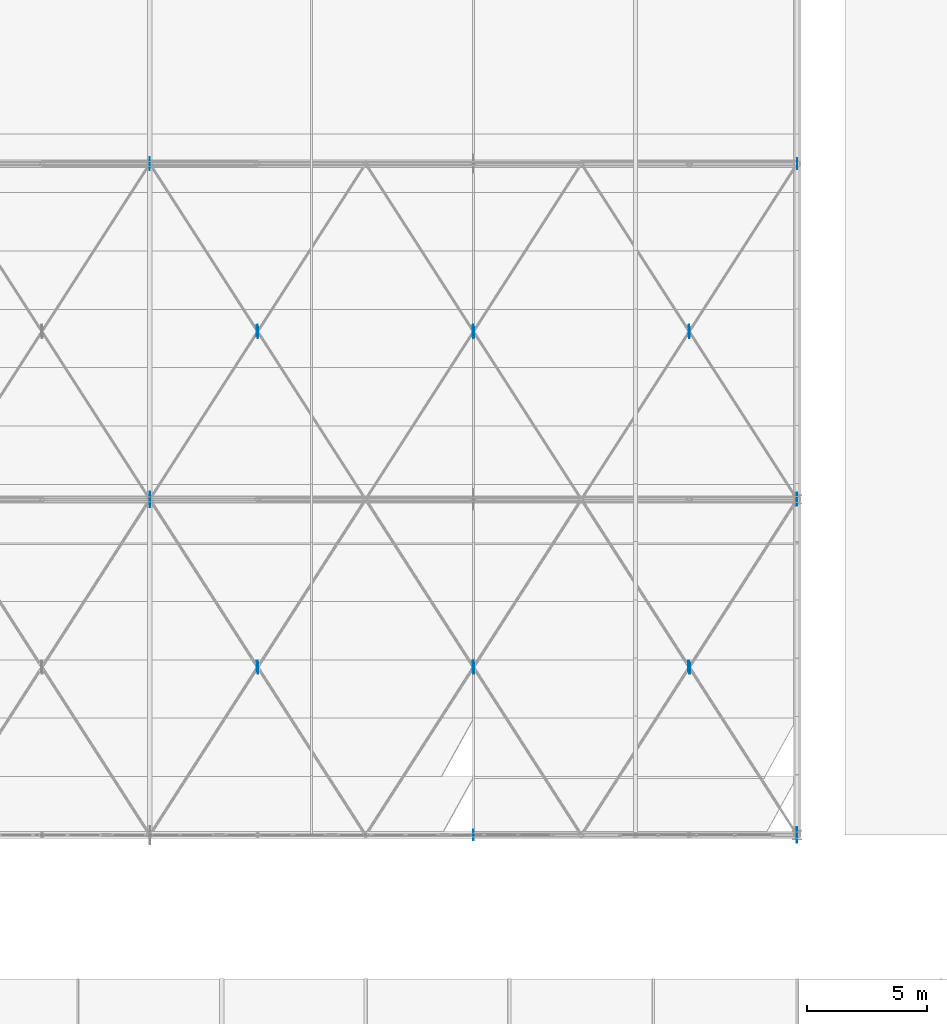
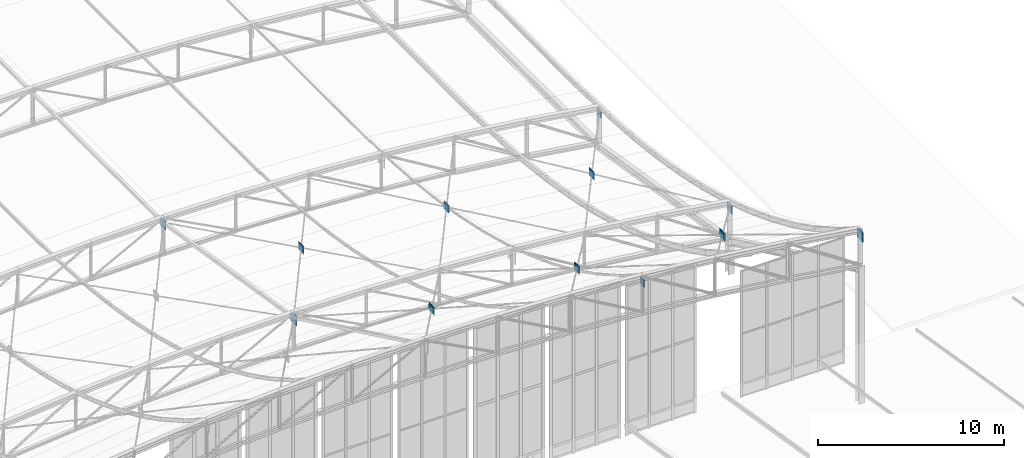
# One storey, part 252 of 262: 24 plates.
"""IFC4 building model written with IfcOpenShell, lengths in metres."""

from ifc_helpers import new_model, si_unit, derived_unit, direction, frame, origin, origin_2d, place, context, subcontext, project, spatial, rectangle, extrude, material, layer, layer_set, type_object, element, save


model = new_model("IFC4")

# Units and contexts
model_context = context("Model", 3, precision=1e-05, world=origin(), true_north=direction((0.0, 1.0)))
body_context = subcontext(model_context, "Body", "Model", "MODEL_VIEW")
ifc_project = project(units=[si_unit("LENGTHUNIT", "METRE"), si_unit("AREAUNIT", "SQUARE_METRE"), si_unit("VOLUMEUNIT", "CUBIC_METRE"), si_unit("PLANEANGLEUNIT", "RADIAN"), si_unit("MASSUNIT", "GRAM", prefix="KILO"), derived_unit("THERMALTRANSMITTANCEUNIT", [(si_unit("POWERUNIT", "WATT"), 1), (si_unit("LENGTHUNIT", "METRE"), -2), (si_unit("THERMODYNAMICTEMPERATUREUNIT", "KELVIN"), -1)])], contexts=[model_context])

# Site, building, storey
site_placement = place(None, origin())
site = spatial("IfcSite", under=ifc_project, at=site_placement, CompositionType="ELEMENT")
building_placement = place(site_placement, origin())
building = spatial("IfcBuilding", under=site, at=building_placement, Name="Almenara Railside Exhibition Hall", CompositionType="ELEMENT")
storey_placement = place(building_placement, frame((0.0, 0.0, 21.699951171875)))
storey = spatial("IfcBuildingStorey", under=building, at=storey_placement, Name="RF", CompositionType="ELEMENT", Elevation=21.699951171875)

# Plates
ifc_material = material(Name="Structural steel S355JR", Category="steel")
ifc_layer_1 = layer(ifc_material, 0.011962890625, Name="Structural steel S355JR")
ifc_layer_set_1 = layer_set([ifc_layer_1], Name="Structural steel S355JR")
plate_type_1 = type_object("IfcPlateType", Name="Truss Node Gusset Plate 12mm S355JR", PredefinedType="USERDEFINED", material=ifc_layer_set_1)
for number, where, z_axis, x_axis, name in (
    (1, (178.5, 34.0, 2.77490234375), (0.0, 0.0, 1.0), (0.0, 1.0, 0.0), "PLT-GUS-0116"),
    (2, (192.0, 62.0, -7.8603515625), (0.0, 0.0, 1.0), (0.0, 1.0, 0.0), "PLT-GUS-0127"),
    (3, (169.525634765625, 40.960205078125, -0.06689453125), (0.0, 0.0, 1.0), (0.0, 1.0, 0.0), "PLT-GUS-0163"),
    (4, (169.474365234375, 41.039794921875, -0.103515625), (0.0, 0.0, 1.0), (0.0, 1.0, 0.0), "PLT-GUS-0164"),
    (5, (178.52587890625, 40.959716796875, -0.55712890625), (0.0, 0.0, 1.0), (0.0, 1.0, 0.0), "PLT-GUS-0166"),
    (6, (178.47412109375, 41.040283203125, -0.59130859375), (0.0, 0.0, 1.0), (0.0, 1.0, 0.0), "PLT-GUS-0167"),
    (7, (187.526123046875, 40.95947265625, -1.5361328125), (0.0, 0.0, 1.0), (0.0, 1.0, 0.0), "PLT-GUS-0169"),
    (8, (187.473876953125, 41.04052734375, -1.56787109375), (0.0, 0.0, 1.0), (0.0, 1.0, 0.0), "PLT-GUS-0170"),
    (9, (169.52392578125, 54.962890625, -4.57275390625), (0.0, 0.0, 1.0), (0.0, 1.0, 0.0), "PLT-GUS-0181"),
    (10, (169.47607421875, 55.037109375, -4.58349609375), (0.0, 0.0, 1.0), (0.0, 1.0, 0.0), "PLT-GUS-0182"),
    (11, (178.52392578125, 54.962890625, -5.06298828125), (0.0, 0.0, 1.0), (0.0, 1.0, 0.0), "PLT-GUS-0184"),
    (12, (178.47607421875, 55.037109375, -5.07080078125), (0.0, 0.0, 1.0), (0.0, 1.0, 0.0), "PLT-GUS-0185"),
    (13, (187.52392578125, 54.962646484375, -6.0419921875), (0.0, 0.0, 1.0), (0.0, 1.0, 0.0), "PLT-GUS-0187"),
    (14, (187.47607421875, 55.037353515625, -6.04736328125), (0.0, 0.0, 1.0), (0.0, 1.0, 0.0), "PLT-GUS-0188"),
):
    element("IfcPlate", number, at=place(storey_placement, frame(where, z_axis=z_axis, x_axis=x_axis)), inside=storey, type_object=plate_type_1, Name=name, ObjectType="GUSSET_PLATE", PredefinedType="USERDEFINED", context=body_context, shape_type="SweptSolid", body=[
        extrude(rectangle(XDim=0.449951171875, YDim=0.011962890625, at=origin_2d()), origin(), (0.0, 0.0, 1.0), 0.449951171875),
    ])
ifc_layer_2 = layer(ifc_material, 0.01611328125, Name="Structural steel S355JR")
ifc_layer_set_2 = layer_set([ifc_layer_2], Name="Structural steel S355JR")
plate_type_2 = type_object("IfcPlateType", Name="Truss Node Gusset Plate 16mm S355JR", PredefinedType="USERDEFINED", material=ifc_layer_set_2)
for number, where, z_axis, x_axis, name in (
    (15, (192.0, 48.0, -5.6416015625), (0.0, 0.0, 1.0), (0.0, 1.0, 0.0), "PLT-GUS-0122"),
    (16, (165.0, 62.0, -5.7099609375), (0.0, 0.0, 1.0), (0.0, 1.0, 0.0), "PLT-GUS-0125"),
    (17, (169.5, 41.0, -0.13525390625), (0.0, 0.0, 1.0), (0.0, 1.0, 0.0), "PLT-GUS-0162"),
    (18, (178.5, 41.0, -0.62451171875), (0.0, 0.0, 1.0), (0.0, 1.0, 0.0), "PLT-GUS-0165"),
    (19, (187.5, 41.0, -1.60205078125), (0.0, 0.0, 1.0), (0.0, 1.0, 0.0), "PLT-GUS-0168"),
    (20, (169.5, 55.0, -4.6279296875), (0.0, 0.0, 1.0), (0.0, 1.0, 0.0), "PLT-GUS-0180"),
    (21, (178.5, 55.0, -5.1171875), (0.0, 0.0, 1.0), (0.0, 1.0, 0.0), "PLT-GUS-0183"),
    (22, (187.5, 55.0, -6.0947265625), (0.0, 0.0, 1.0), (0.0, 1.0, 0.0), "PLT-GUS-0186"),
):
    element("IfcPlate", number, at=place(storey_placement, frame(where, z_axis=z_axis, x_axis=x_axis)), inside=storey, type_object=plate_type_2, Name=name, ObjectType="GUSSET_PLATE", PredefinedType="USERDEFINED", context=body_context, shape_type="SweptSolid", body=[
        extrude(rectangle(XDim=0.550048828125, YDim=0.01611328125, at=origin_2d()), origin(), (0.0, 0.0, 1.0), 0.550048828125),
    ])
ifc_layer_3 = layer(ifc_material, 0.02001953125, Name="Structural steel S355JR")
ifc_layer_set_3 = layer_set([ifc_layer_3], Name="Structural steel S355JR")
plate_type_3 = type_object("IfcPlateType", Name="Truss Node Gusset Plate 20mm S355JR", PredefinedType="USERDEFINED", material=ifc_layer_set_3)
for number, where, z_axis, x_axis, name in (
    (23, (192.0, 34.0, 1.025146484375), (0.0, 0.0, 1.0), (0.0, 1.0, 0.0), "PLT-GUS-0117"),
    (24, (165.0, 48.0, -3.491455078125), (0.0, 0.0, 1.0), (0.0, 1.0, 0.0), "PLT-GUS-0120"),
):
    element("IfcPlate", number, at=place(storey_placement, frame(where, z_axis=z_axis, x_axis=x_axis)), inside=storey, type_object=plate_type_3, Name=name, ObjectType="GUSSET_PLATE", PredefinedType="USERDEFINED", context=body_context, shape_type="SweptSolid", body=[
        extrude(rectangle(XDim=0.64990234375, YDim=0.02001953125, at=origin_2d()), origin(), (0.0, 0.0, 1.0), 0.64990234375),
    ])

save(model, "model.ifc")
